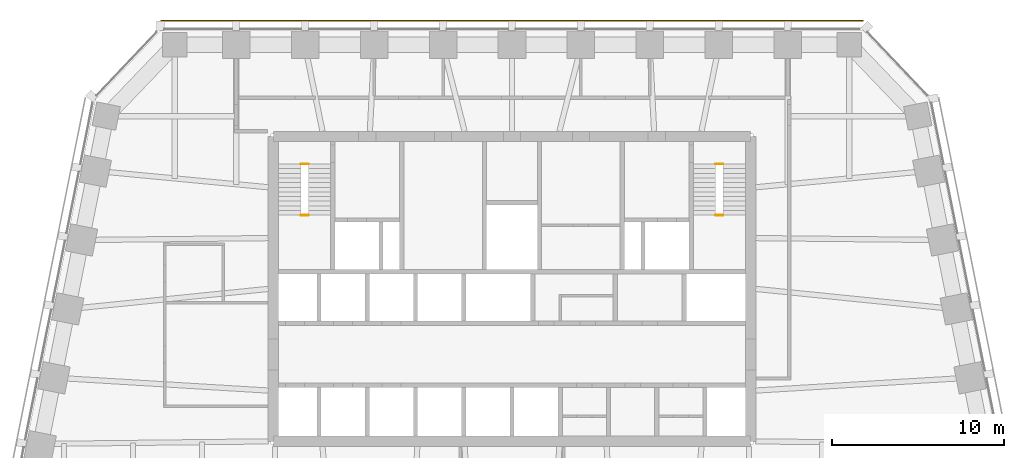
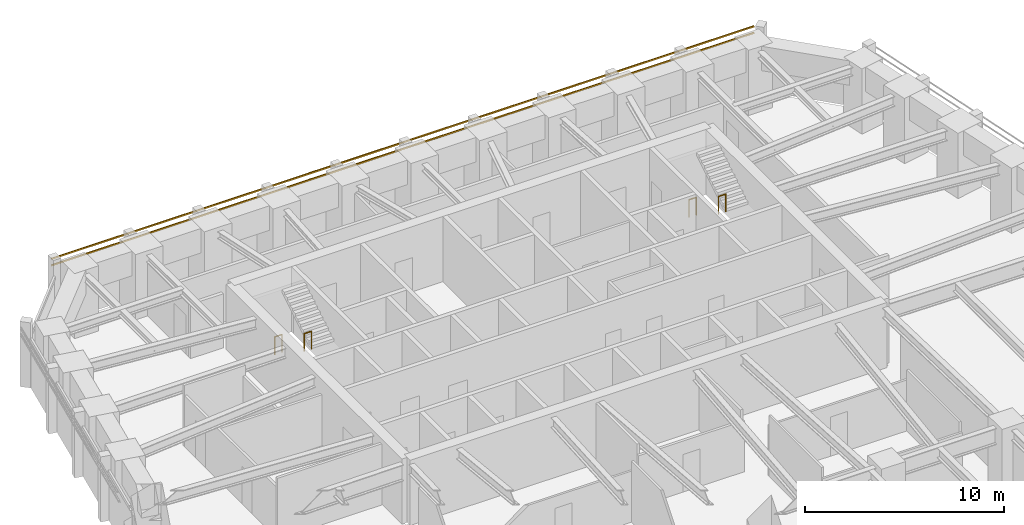
# One storey, part 10 of 10: 4 railings, 2 shading devices.
"""IFC4 building model written with IfcOpenShell, lengths in metres."""

from ifc_helpers import new_model, si_unit, direction, frame, origin, origin_2d, place, context, subcontext, project, spatial, rectangle, circle, extrude, material, material_profile, profile_set, type_object, element, save


model = new_model("IFC4")

# Units and contexts
model_context = context("Model", 3, precision=1e-05, world=origin(), true_north=direction((0.0, 1.0)))
body_context = subcontext(model_context, "Body", "Model", "MODEL_VIEW")
ifc_project = project(units=[si_unit("LENGTHUNIT", "METRE"), si_unit("AREAUNIT", "SQUARE_METRE"), si_unit("VOLUMEUNIT", "CUBIC_METRE"), si_unit("PLANEANGLEUNIT", "RADIAN"), si_unit("MASSUNIT", "GRAM", prefix="KILO")], contexts=[model_context])

# Site, building, storey
site_placement = place(None, origin())
site = spatial("IfcSite", under=ifc_project, at=site_placement, CompositionType="ELEMENT")
building_placement = place(site_placement, origin())
building = spatial("IfcBuilding", under=site, at=building_placement, Name="Isbrekke Arena Tower", CompositionType="ELEMENT")
storey_placement = place(building_placement, frame((0.0, 0.0, 238.0)))
storey = spatial("IfcBuildingStorey", under=building, at=storey_placement, Name="L55", CompositionType="ELEMENT", Elevation=238.0)

# Shading devices
ifc_material_1 = material(Name="Terracotta", Category="masonry")
ifc_material_profile = material_profile(ifc_material_1, rectangle(XDim=0.06005859375, YDim=0.06005859375, at=origin_2d()), Name="BAGUETTE 60X60")
ifc_profile_set = profile_set([ifc_material_profile], Name="Terracotta")
shading_device_type = type_object("IfcShadingDeviceType", Name="BG1 TERRACOTTA BAGUETTE 60 x 60", PredefinedType="USERDEFINED", material=ifc_profile_set)
for number, where, z_axis, x_axis, name in (
    (1, (20.39990234375, 30.580078125, 3.280029296875), (-1.0, 0.0, 0.0), (0.0, -1.0, 0.0), "BG1 terracotta baguette N1 L55"),
    (2, (20.39990234375, 30.580078125, 3.679931640625), (-1.0, 0.0, 0.0), (0.0, -1.0, 0.0), "BG1 terracotta baguette N2 L55"),
):
    element("IfcShadingDevice", number, at=place(storey_placement, frame(where, z_axis=z_axis, x_axis=x_axis)), inside=storey, type_object=shading_device_type, Name=name, ObjectType="TERRACOTTA BAGUETTE", PredefinedType="USERDEFINED", context=body_context, shape_type="SweptSolid", body=[
        extrude(rectangle(XDim=0.06005859375, YDim=0.06005859375, at=origin_2d()), origin(), (0.0, 0.0, 1.0), 40.7998046875),
    ])

# Railings
ifc_material_2 = material(Name="Steel stair guard, vertical bars, steel handrail", Category="steel")
railing_type = type_object("IfcRailingType", Name="GR3 STAIR WELL GUARD 1100", PredefinedType="GUARDRAIL", material=ifc_material_2)
for number, where, name in (
    (3, (-12.25, 22.25, 0.0), "GR3 stair well guard ST1 L55"),
    (4, (-12.25, 19.280029296875, 2.0), "GR3 stair well guard ST1 L55"),
    (5, (11.824951171875, 22.25, 0.0), "GR3 stair well guard ST2 L55"),
    (6, (11.824951171875, 19.280029296875, 2.0), "GR3 stair well guard ST2 L55"),
):
    element("IfcRailing", number, at=place(storey_placement, frame(where)), inside=storey, type_object=railing_type, Name=name, PredefinedType="GUARDRAIL", context=body_context, shape_type="SweptSolid", body=[
        extrude(circle(Radius=0.02392578125, at=origin_2d()), frame((0.0, 0.0, 1.076171875), z_axis=(1.0, 0.0, 0.0), x_axis=(0.0, 1.0, 0.0)), (0.0, 0.0, 1.0), 0.425048828125),
        extrude(circle(Radius=0.02099609375, at=origin_2d()), origin(), (0.0, 0.0, 1.0), 1.052001953125),
        extrude(circle(Radius=0.02099609375, at=origin_2d()), frame((0.425048828125, 0.0, 0.0)), (0.0, 0.0, 1.0), 1.052001953125),
    ])

save(model, "model.ifc")
